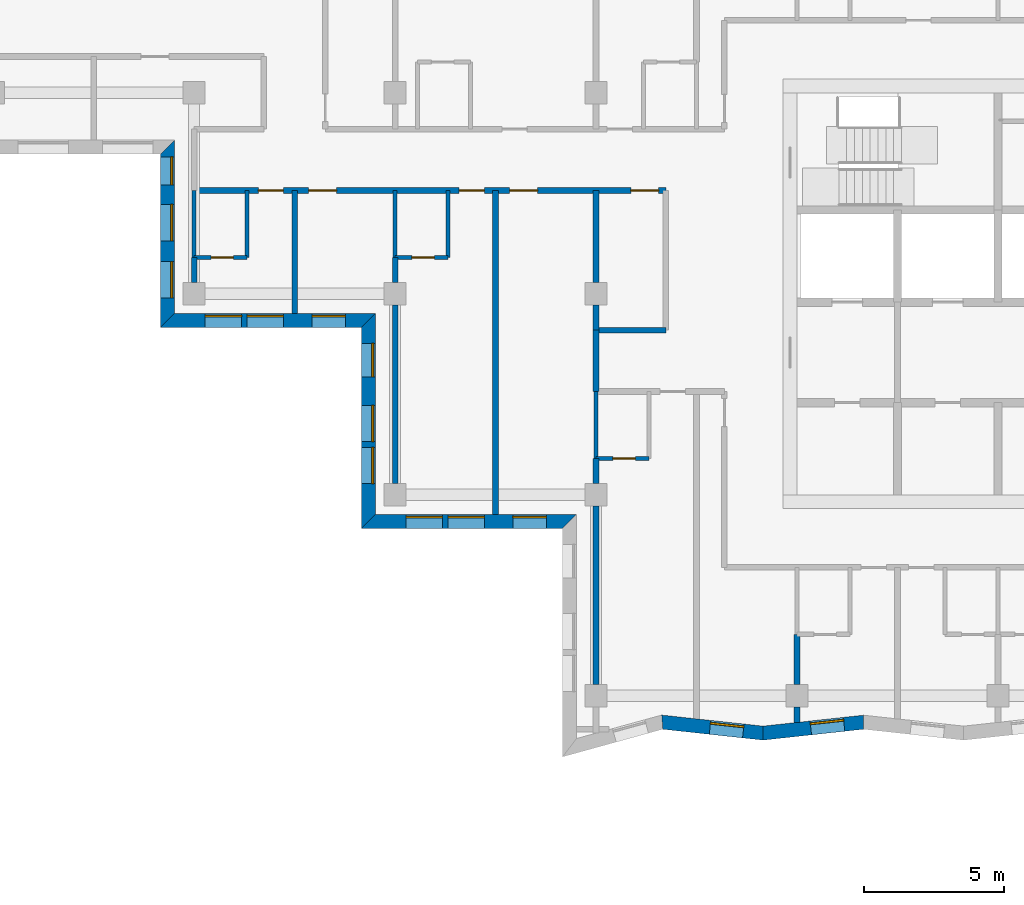
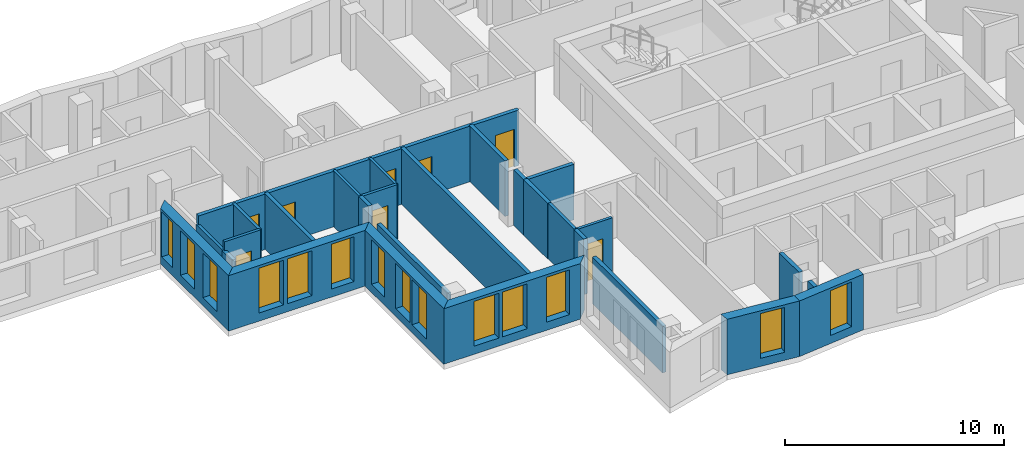
# One storey, part 2 of 12: 28 walls, 14 windows, 8 doors, 22 openings.
"""IFC4 building model written with IfcOpenShell, lengths in metres."""

from ifc_helpers import new_model, si_unit, direction, frame, frame_2d, origin, place, context, subcontext, project, spatial, polyline, rectangle, outline, extrude, material, layer, layer_set, type_object, element, fill, save


model = new_model("IFC4")

# Units and contexts
model_context = context("Model", 3, precision=1e-05, world=origin(), true_north=direction((0.0, 1.0)))
body_context = subcontext(model_context, "Body", "Model", "MODEL_VIEW")
ifc_project = project(units=[si_unit("LENGTHUNIT", "METRE"), si_unit("AREAUNIT", "SQUARE_METRE"), si_unit("VOLUMEUNIT", "CUBIC_METRE"), si_unit("PLANEANGLEUNIT", "RADIAN"), si_unit("MASSUNIT", "GRAM", prefix="KILO")], contexts=[model_context])

# Site, building, storey
site_placement = place(None, origin())
site = spatial("IfcSite", under=ifc_project, at=site_placement, CompositionType="ELEMENT")
building_placement = place(site_placement, origin())
building = spatial("IfcBuilding", under=site, at=building_placement, Name="Windrow Commons", CompositionType="ELEMENT")
storey_placement = place(building_placement, frame((0.0, 0.0, 199.8)))
storey = spatial("IfcBuildingStorey", under=building, at=storey_placement, Name="L54", CompositionType="ELEMENT", Elevation=199.8)

# Wall, openings, windows
ifc_material_1 = material(Name="Brick masonry, red clay brick", Category="masonry")
ifc_layer_1 = layer(ifc_material_1, 0.5)
ifc_layer_set_1 = layer_set([ifc_layer_1], Name="Brick facade wall 500")
wall_type_1 = type_object("IfcWallType", Name="Brick facade wall 500", PredefinedType="SOLIDWALL", material=ifc_layer_set_1)
wall_1_placement = place(storey_placement, frame((35.05, 62.859, 0.0), z_axis=(0.0, 0.0, 1.0), x_axis=(0.0, -1.0, 0.0)))
wall_1 = element("IfcWall", 1, at=wall_1_placement, inside=storey, type_object=wall_type_1, Name="Brick facade wall L54 35", PredefinedType="SOLIDWALL", context=body_context, shape_type="SweptSolid", body=[
    extrude(outline(polyline([(0.25, -0.25), (6.459, -0.25), (5.959, 0.25), (-0.25, 0.25), (0.25, -0.25)])), origin(), (0.0, 0.0, 1.0), 3.1),
])
opening_1_placement = place(wall_1_placement, frame((2.059, 0.0, 0.45)))
opening_1 = element("IfcOpeningElement", 2, at=opening_1_placement, cuts=wall_1, Name="Opening W1Q", PredefinedType="OPENING", context=body_context, shape_type="SweptSolid", body=[
    extrude(rectangle(XDim=1.3, YDim=2.5, at=frame_2d((0.65, 1.25))), frame((0.0, 0.26, 0.0), z_axis=(0.0, -1.0, 0.0), x_axis=(1.0, 0.0, 0.0)), (0.0, 0.0, 1.0), 0.52),
])
opening_2_placement = place(wall_1_placement, frame((4.109, 0.0, 0.45)))
opening_2 = element("IfcOpeningElement", 3, at=opening_2_placement, cuts=wall_1, Name="Opening W1Q", PredefinedType="OPENING", context=body_context, shape_type="SweptSolid", body=[
    extrude(rectangle(XDim=1.3, YDim=2.5, at=frame_2d((0.65, 1.25))), frame((0.0, 0.26, 0.0), z_axis=(0.0, -1.0, 0.0), x_axis=(1.0, 0.0, 0.0)), (0.0, 0.0, 1.0), 0.52),
])
opening_3_placement = place(wall_1_placement, frame((0.3545, 0.0, 0.45)))
opening_3 = element("IfcOpeningElement", 4, at=opening_3_placement, cuts=wall_1, Name="Opening W1S", PredefinedType="OPENING", context=body_context, shape_type="SweptSolid", body=[
    extrude(rectangle(XDim=1.0, YDim=2.5, at=frame_2d((0.5, 1.25))), frame((0.0, 0.26, 0.0), z_axis=(0.0, -1.0, 0.0), x_axis=(1.0, 0.0, 0.0)), (0.0, 0.0, 1.0), 0.52),
])
ifc_material_2 = material(Name="Clear float glass in anodised aluminium frame", Category="aluminium")
window_type_1 = type_object("IfcWindowType", Name="Window W1Q pair 1300x2500", PartitioningType="SINGLE_PANEL", PredefinedType="WINDOW", material=ifc_material_2)
window_1_placement = place(opening_1_placement, origin())
window_1 = element("IfcWindow", 5, at=window_1_placement, inside=storey, type_object=window_type_1, Name="Window L54 35.1A", OverallHeight=2.5, OverallWidth=1.3, PartitioningType="SINGLE_PANEL", PredefinedType="WINDOW", context=body_context, shape_type="SweptSolid", body=[
    extrude(rectangle(XDim=1.3, YDim=2.5, at=frame_2d((0.65, 1.25))), frame((0.0, 0.18, 0.0), z_axis=(0.0, -1.0, 0.0), x_axis=(1.0, 0.0, 0.0)), (0.0, 0.0, 1.0), 0.06),
])
fill(opening_1, window_1)
window_2_placement = place(opening_2_placement, origin())
window_2 = element("IfcWindow", 6, at=window_2_placement, inside=storey, type_object=window_type_1, Name="Window L54 35.1B", OverallHeight=2.5, OverallWidth=1.3, PartitioningType="SINGLE_PANEL", PredefinedType="WINDOW", context=body_context, shape_type="SweptSolid", body=[
    extrude(rectangle(XDim=1.3, YDim=2.5, at=frame_2d((0.65, 1.25))), frame((0.0, 0.18, 0.0), z_axis=(0.0, -1.0, 0.0), x_axis=(1.0, 0.0, 0.0)), (0.0, 0.0, 1.0), 0.06),
])
fill(opening_2, window_2)
ifc_material_3 = material(Name="Clear float glass in anodised aluminium frame", Category="aluminium")
window_type_2 = type_object("IfcWindowType", Name="Window W1S slit 1000x2500", PartitioningType="SINGLE_PANEL", PredefinedType="WINDOW", material=ifc_material_3)
window_3_placement = place(opening_3_placement, origin())
window_3 = element("IfcWindow", 7, at=window_3_placement, inside=storey, type_object=window_type_2, Name="Window L54 35.2A", OverallHeight=2.5, OverallWidth=1.0, PartitioningType="SINGLE_PANEL", PredefinedType="WINDOW", context=body_context, shape_type="SweptSolid", body=[
    extrude(rectangle(XDim=1.0, YDim=2.5, at=frame_2d((0.5, 1.25))), frame((0.0, 0.18, 0.0), z_axis=(0.0, -1.0, 0.0), x_axis=(1.0, 0.0, 0.0)), (0.0, 0.0, 1.0), 0.06),
])
fill(opening_3, window_3)

wall_2_placement = place(storey_placement, frame((35.05, 56.65, 0.0), z_axis=(0.0, 0.0, 1.0), x_axis=(1.0, 0.0, 0.0)))
wall_2 = element("IfcWall", 8, at=wall_2_placement, inside=storey, type_object=wall_type_1, Name="Brick facade wall L54 36", PredefinedType="SOLIDWALL", context=body_context, shape_type="SweptSolid", body=[
    extrude(outline(polyline([(-0.25, -0.25), (6.95, -0.25), (7.45, 0.25), (0.25, 0.25), (-0.25, -0.25)])), origin(), (0.0, 0.0, 1.0), 3.1),
])
opening_4_placement = place(wall_2_placement, frame((1.35, 0.0, 0.45)))
opening_4 = element("IfcOpeningElement", 9, at=opening_4_placement, cuts=wall_2, Name="Opening W1Q", PredefinedType="OPENING", context=body_context, shape_type="SweptSolid", body=[
    extrude(rectangle(XDim=1.3, YDim=2.5, at=frame_2d((0.65, 1.25))), frame((0.0, 0.26, 0.0), z_axis=(0.0, -1.0, 0.0), x_axis=(1.0, 0.0, 0.0)), (0.0, 0.0, 1.0), 0.52),
])
opening_5_placement = place(wall_2_placement, frame((2.85, 0.0, 0.45)))
opening_5 = element("IfcOpeningElement", 10, at=opening_5_placement, cuts=wall_2, Name="Opening W1Q", PredefinedType="OPENING", context=body_context, shape_type="SweptSolid", body=[
    extrude(rectangle(XDim=1.3, YDim=2.5, at=frame_2d((0.65, 1.25))), frame((0.0, 0.26, 0.0), z_axis=(0.0, -1.0, 0.0), x_axis=(1.0, 0.0, 0.0)), (0.0, 0.0, 1.0), 0.52),
])
opening_6_placement = place(wall_2_placement, frame((5.175, 0.0, 0.45)))
opening_6 = element("IfcOpeningElement", 11, at=opening_6_placement, cuts=wall_2, Name="Opening W7E", PredefinedType="OPENING", context=body_context, shape_type="SweptSolid", body=[
    extrude(rectangle(XDim=1.2, YDim=2.5, at=frame_2d((0.6, 1.25))), frame((0.0, 0.26, 0.0), z_axis=(0.0, -1.0, 0.0), x_axis=(1.0, 0.0, 0.0)), (0.0, 0.0, 1.0), 0.52),
])
window_4_placement = place(opening_4_placement, origin())
window_4 = element("IfcWindow", 12, at=window_4_placement, inside=storey, type_object=window_type_1, Name="Window L54 36.1A", OverallHeight=2.5, OverallWidth=1.3, PartitioningType="SINGLE_PANEL", PredefinedType="WINDOW", context=body_context, shape_type="SweptSolid", body=[
    extrude(rectangle(XDim=1.3, YDim=2.5, at=frame_2d((0.65, 1.25))), frame((0.0, 0.18, 0.0), z_axis=(0.0, -1.0, 0.0), x_axis=(1.0, 0.0, 0.0)), (0.0, 0.0, 1.0), 0.06),
])
fill(opening_4, window_4)
window_5_placement = place(opening_5_placement, origin())
window_5 = element("IfcWindow", 13, at=window_5_placement, inside=storey, type_object=window_type_1, Name="Window L54 36.1B", OverallHeight=2.5, OverallWidth=1.3, PartitioningType="SINGLE_PANEL", PredefinedType="WINDOW", context=body_context, shape_type="SweptSolid", body=[
    extrude(rectangle(XDim=1.3, YDim=2.5, at=frame_2d((0.65, 1.25))), frame((0.0, 0.18, 0.0), z_axis=(0.0, -1.0, 0.0), x_axis=(1.0, 0.0, 0.0)), (0.0, 0.0, 1.0), 0.06),
])
fill(opening_5, window_5)
ifc_material_4 = material(Name="Clear float glass in anodised aluminium frame", Category="aluminium")
window_type_3 = type_object("IfcWindowType", Name="Window W7 notch 1200x2500", PartitioningType="SINGLE_PANEL", PredefinedType="WINDOW", material=ifc_material_4)
window_6_placement = place(opening_6_placement, origin())
window_6 = element("IfcWindow", 14, at=window_6_placement, inside=storey, type_object=window_type_3, Name="Window L54 36.2", OverallHeight=2.5, OverallWidth=1.2, PartitioningType="SINGLE_PANEL", PredefinedType="WINDOW", context=body_context, shape_type="SweptSolid", body=[
    extrude(rectangle(XDim=1.2, YDim=2.5, at=frame_2d((0.6, 1.25))), frame((0.0, 0.18, 0.0), z_axis=(0.0, -1.0, 0.0), x_axis=(1.0, 0.0, 0.0)), (0.0, 0.0, 1.0), 0.06),
])
fill(opening_6, window_6)

wall_3_placement = place(storey_placement, frame((42.25, 56.65, 0.0), z_axis=(0.0, 0.0, 1.0), x_axis=(0.0, -1.0, 0.0)))
wall_3 = element("IfcWall", 15, at=wall_3_placement, inside=storey, type_object=wall_type_1, Name="Brick facade wall L54 37", PredefinedType="SOLIDWALL", context=body_context, shape_type="SweptSolid", body=[
    extrude(outline(polyline([(0.25, -0.25), (7.45, -0.25), (6.95, 0.25), (-0.25, 0.25), (0.25, -0.25)])), origin(), (0.0, 0.0, 1.0), 3.1),
])
opening_7_placement = place(wall_3_placement, frame((3.05, 0.0, 0.45)))
opening_7 = element("IfcOpeningElement", 16, at=opening_7_placement, cuts=wall_3, Name="Opening W1Q", PredefinedType="OPENING", context=body_context, shape_type="SweptSolid", body=[
    extrude(rectangle(XDim=1.3, YDim=2.5, at=frame_2d((0.65, 1.25))), frame((0.0, 0.26, 0.0), z_axis=(0.0, -1.0, 0.0), x_axis=(1.0, 0.0, 0.0)), (0.0, 0.0, 1.0), 0.52),
])
opening_8_placement = place(wall_3_placement, frame((4.55, 0.0, 0.45)))
opening_8 = element("IfcOpeningElement", 17, at=opening_8_placement, cuts=wall_3, Name="Opening W1Q", PredefinedType="OPENING", context=body_context, shape_type="SweptSolid", body=[
    extrude(rectangle(XDim=1.3, YDim=2.5, at=frame_2d((0.65, 1.25))), frame((0.0, 0.26, 0.0), z_axis=(0.0, -1.0, 0.0), x_axis=(1.0, 0.0, 0.0)), (0.0, 0.0, 1.0), 0.52),
])
opening_9_placement = place(wall_3_placement, frame((0.825, 0.0, 0.45)))
opening_9 = element("IfcOpeningElement", 18, at=opening_9_placement, cuts=wall_3, Name="Opening W7E", PredefinedType="OPENING", context=body_context, shape_type="SweptSolid", body=[
    extrude(rectangle(XDim=1.2, YDim=2.5, at=frame_2d((0.6, 1.25))), frame((0.0, 0.26, 0.0), z_axis=(0.0, -1.0, 0.0), x_axis=(1.0, 0.0, 0.0)), (0.0, 0.0, 1.0), 0.52),
])
window_7_placement = place(opening_7_placement, origin())
window_7 = element("IfcWindow", 19, at=window_7_placement, inside=storey, type_object=window_type_1, Name="Window L54 37.1A", OverallHeight=2.5, OverallWidth=1.3, PartitioningType="SINGLE_PANEL", PredefinedType="WINDOW", context=body_context, shape_type="SweptSolid", body=[
    extrude(rectangle(XDim=1.3, YDim=2.5, at=frame_2d((0.65, 1.25))), frame((0.0, 0.18, 0.0), z_axis=(0.0, -1.0, 0.0), x_axis=(1.0, 0.0, 0.0)), (0.0, 0.0, 1.0), 0.06),
])
fill(opening_7, window_7)
window_8_placement = place(opening_8_placement, origin())
window_8 = element("IfcWindow", 20, at=window_8_placement, inside=storey, type_object=window_type_1, Name="Window L54 37.1B", OverallHeight=2.5, OverallWidth=1.3, PartitioningType="SINGLE_PANEL", PredefinedType="WINDOW", context=body_context, shape_type="SweptSolid", body=[
    extrude(rectangle(XDim=1.3, YDim=2.5, at=frame_2d((0.65, 1.25))), frame((0.0, 0.18, 0.0), z_axis=(0.0, -1.0, 0.0), x_axis=(1.0, 0.0, 0.0)), (0.0, 0.0, 1.0), 0.06),
])
fill(opening_8, window_8)
window_9_placement = place(opening_9_placement, origin())
window_9 = element("IfcWindow", 21, at=window_9_placement, inside=storey, type_object=window_type_3, Name="Window L54 37.2", OverallHeight=2.5, OverallWidth=1.2, PartitioningType="SINGLE_PANEL", PredefinedType="WINDOW", context=body_context, shape_type="SweptSolid", body=[
    extrude(rectangle(XDim=1.2, YDim=2.5, at=frame_2d((0.6, 1.25))), frame((0.0, 0.18, 0.0), z_axis=(0.0, -1.0, 0.0), x_axis=(1.0, 0.0, 0.0)), (0.0, 0.0, 1.0), 0.06),
])
fill(opening_9, window_9)

wall_4_placement = place(storey_placement, frame((42.25, 49.45, 0.0), z_axis=(0.0, 0.0, 1.0), x_axis=(1.0, 0.0, 0.0)))
wall_4 = element("IfcWall", 22, at=wall_4_placement, inside=storey, type_object=wall_type_1, Name="Brick facade wall L54 38", PredefinedType="SOLIDWALL", context=body_context, shape_type="SweptSolid", body=[
    extrude(outline(polyline([(-0.25, -0.25), (6.95, -0.25), (7.45, 0.25), (0.25, 0.25), (-0.25, -0.25)])), origin(), (0.0, 0.0, 1.0), 3.1),
])
opening_10_placement = place(wall_4_placement, frame((1.35, 0.0, 0.45)))
opening_10 = element("IfcOpeningElement", 23, at=opening_10_placement, cuts=wall_4, Name="Opening W1Q", PredefinedType="OPENING", context=body_context, shape_type="SweptSolid", body=[
    extrude(rectangle(XDim=1.3, YDim=2.5, at=frame_2d((0.65, 1.25))), frame((0.0, 0.26, 0.0), z_axis=(0.0, -1.0, 0.0), x_axis=(1.0, 0.0, 0.0)), (0.0, 0.0, 1.0), 0.52),
])
opening_11_placement = place(wall_4_placement, frame((2.85, 0.0, 0.45)))
opening_11 = element("IfcOpeningElement", 24, at=opening_11_placement, cuts=wall_4, Name="Opening W1Q", PredefinedType="OPENING", context=body_context, shape_type="SweptSolid", body=[
    extrude(rectangle(XDim=1.3, YDim=2.5, at=frame_2d((0.65, 1.25))), frame((0.0, 0.26, 0.0), z_axis=(0.0, -1.0, 0.0), x_axis=(1.0, 0.0, 0.0)), (0.0, 0.0, 1.0), 0.52),
])
opening_12_placement = place(wall_4_placement, frame((5.175, 0.0, 0.45)))
opening_12 = element("IfcOpeningElement", 25, at=opening_12_placement, cuts=wall_4, Name="Opening W7E", PredefinedType="OPENING", context=body_context, shape_type="SweptSolid", body=[
    extrude(rectangle(XDim=1.2, YDim=2.5, at=frame_2d((0.6, 1.25))), frame((0.0, 0.26, 0.0), z_axis=(0.0, -1.0, 0.0), x_axis=(1.0, 0.0, 0.0)), (0.0, 0.0, 1.0), 0.52),
])
window_10_placement = place(opening_10_placement, origin())
window_10 = element("IfcWindow", 26, at=window_10_placement, inside=storey, type_object=window_type_1, Name="Window L54 38.1A", OverallHeight=2.5, OverallWidth=1.3, PartitioningType="SINGLE_PANEL", PredefinedType="WINDOW", context=body_context, shape_type="SweptSolid", body=[
    extrude(rectangle(XDim=1.3, YDim=2.5, at=frame_2d((0.65, 1.25))), frame((0.0, 0.18, 0.0), z_axis=(0.0, -1.0, 0.0), x_axis=(1.0, 0.0, 0.0)), (0.0, 0.0, 1.0), 0.06),
])
fill(opening_10, window_10)
window_11_placement = place(opening_11_placement, origin())
window_11 = element("IfcWindow", 27, at=window_11_placement, inside=storey, type_object=window_type_1, Name="Window L54 38.1B", OverallHeight=2.5, OverallWidth=1.3, PartitioningType="SINGLE_PANEL", PredefinedType="WINDOW", context=body_context, shape_type="SweptSolid", body=[
    extrude(rectangle(XDim=1.3, YDim=2.5, at=frame_2d((0.65, 1.25))), frame((0.0, 0.18, 0.0), z_axis=(0.0, -1.0, 0.0), x_axis=(1.0, 0.0, 0.0)), (0.0, 0.0, 1.0), 0.06),
])
fill(opening_11, window_11)
window_12_placement = place(opening_12_placement, origin())
window_12 = element("IfcWindow", 28, at=window_12_placement, inside=storey, type_object=window_type_3, Name="Window L54 38.2", OverallHeight=2.5, OverallWidth=1.2, PartitioningType="SINGLE_PANEL", PredefinedType="WINDOW", context=body_context, shape_type="SweptSolid", body=[
    extrude(rectangle(XDim=1.2, YDim=2.5, at=frame_2d((0.6, 1.25))), frame((0.0, 0.18, 0.0), z_axis=(0.0, -1.0, 0.0), x_axis=(1.0, 0.0, 0.0)), (0.0, 0.0, 1.0), 0.06),
])
fill(opening_12, window_12)

# Wall, opening, window
wall_5_placement = place(storey_placement, frame((52.7729, 42.2537, 0.0), z_axis=(0.0, 0.0, 1.0), x_axis=(0.9941327648, -0.1081667505, 0.0)))
wall_5 = element("IfcWall", 29, at=wall_5_placement, inside=storey, type_object=wall_type_1, Name="Brick facade wall L54 41", PredefinedType="SOLIDWALL", context=body_context, shape_type="SweptSolid", body=[
    extrude(outline(polyline([(0.0478, -0.25), (3.6623, -0.25), (3.6079, 0.25), (-0.0478, 0.25), (0.0478, -0.25)])), origin(), (0.0, 0.0, 1.0), 3.1),
])
opening_13_placement = place(wall_5_placement, frame((1.7211, 0.0, 0.45)))
opening_13 = element("IfcOpeningElement", 30, at=opening_13_placement, cuts=wall_5, Name="Opening W7E", PredefinedType="OPENING", context=body_context, shape_type="SweptSolid", body=[
    extrude(rectangle(XDim=1.2, YDim=2.5, at=frame_2d((0.6, 1.25))), frame((0.0, 0.26, 0.0), z_axis=(0.0, -1.0, 0.0), x_axis=(1.0, 0.0, 0.0)), (0.0, 0.0, 1.0), 0.52),
])
window_13_placement = place(opening_13_placement, origin())
window_13 = element("IfcWindow", 31, at=window_13_placement, inside=storey, type_object=window_type_3, Name="Window L54 41.1", OverallHeight=2.5, OverallWidth=1.2, PartitioningType="SINGLE_PANEL", PredefinedType="WINDOW", context=body_context, shape_type="SweptSolid", body=[
    extrude(rectangle(XDim=1.2, YDim=2.5, at=frame_2d((0.6, 1.25))), frame((0.0, 0.18, 0.0), z_axis=(0.0, -1.0, 0.0), x_axis=(1.0, 0.0, 0.0)), (0.0, 0.0, 1.0), 0.06),
])
fill(opening_13, window_13)

wall_6_placement = place(storey_placement, frame((56.3867, 41.8605, 0.0), z_axis=(0.0, 0.0, 1.0), x_axis=(0.994132181, 0.1081721163, 0.0)))
wall_6 = element("IfcWall", 32, at=wall_6_placement, inside=storey, type_object=wall_type_1, Name="Brick facade wall L54 42", PredefinedType="SOLIDWALL", context=body_context, shape_type="SweptSolid", body=[
    extrude(outline(polyline([(-0.0272, -0.25), (3.5874, -0.25), (3.6418, 0.25), (0.0272, 0.25), (-0.0272, -0.25)])), origin(), (0.0, 0.0, 1.0), 3.1),
])
opening_14_placement = place(wall_6_placement, frame((1.7175, 0.0, 0.45)))
opening_14 = element("IfcOpeningElement", 33, at=opening_14_placement, cuts=wall_6, Name="Opening W7E", PredefinedType="OPENING", context=body_context, shape_type="SweptSolid", body=[
    extrude(rectangle(XDim=1.2, YDim=2.5, at=frame_2d((0.6, 1.25))), frame((0.0, 0.26, 0.0), z_axis=(0.0, -1.0, 0.0), x_axis=(1.0, 0.0, 0.0)), (0.0, 0.0, 1.0), 0.52),
])
window_14_placement = place(opening_14_placement, origin())
window_14 = element("IfcWindow", 34, at=window_14_placement, inside=storey, type_object=window_type_3, Name="Window L54 42.1", OverallHeight=2.5, OverallWidth=1.2, PartitioningType="SINGLE_PANEL", PredefinedType="WINDOW", context=body_context, shape_type="SweptSolid", body=[
    extrude(rectangle(XDim=1.2, YDim=2.5, at=frame_2d((0.6, 1.25))), frame((0.0, 0.18, 0.0), z_axis=(0.0, -1.0, 0.0), x_axis=(1.0, 0.0, 0.0)), (0.0, 0.0, 1.0), 0.06),
])
fill(opening_14, window_14)

# Wall, openings, doors
ifc_material_5 = material(Name="Blockwork partition", Category="masonry")
ifc_layer_2 = layer(ifc_material_5, 0.2)
ifc_layer_set_2 = layer_set([ifc_layer_2], Name="IW-CORRIDOR-200")
wall_type_2 = type_object("IfcWallType", Name="IW-CORRIDOR-200", PredefinedType="PARTITIONING", material=ifc_layer_set_2)
wall_7_placement = place(storey_placement, frame((36.0, 61.3, 0.0), z_axis=(0.0, 0.0, 1.0), x_axis=(1.0, 0.0, 0.0)))
wall_7 = element("IfcWall", 35, at=wall_7_placement, inside=storey, type_object=wall_type_2, Name="W-L54-W004", PredefinedType="PARTITIONING", context=body_context, shape_type="SweptSolid", body=[
    extrude(rectangle(XDim=16.9, YDim=0.2, at=frame_2d((8.45, 0.0))), origin(), (0.0, 0.0, 1.0), 3.1),
])
opening_15_placement = place(wall_7_placement, frame((2.3, 0.0, 0.0)))
opening_15 = element("IfcOpeningElement", 36, at=opening_15_placement, cuts=wall_7, Name="Opening D109S", PredefinedType="OPENING", context=body_context, shape_type="SweptSolid", body=[
    extrude(rectangle(XDim=0.9, YDim=2.1, at=frame_2d((0.45, 1.05))), frame((0.0, 0.11, 0.0), z_axis=(0.0, -1.0, 0.0), x_axis=(1.0, 0.0, 0.0)), (0.0, 0.0, 1.0), 0.22),
])
opening_16_placement = place(wall_7_placement, frame((4.1075, 0.0, 0.0)))
opening_16 = element("IfcOpeningElement", 37, at=opening_16_placement, cuts=wall_7, Name="Opening D310F", PredefinedType="OPENING", context=body_context, shape_type="SweptSolid", body=[
    extrude(rectangle(XDim=1.0, YDim=2.1, at=frame_2d((0.5, 1.05))), frame((0.0, 0.11, 0.0), z_axis=(0.0, -1.0, 0.0), x_axis=(1.0, 0.0, 0.0)), (0.0, 0.0, 1.0), 0.22),
])
opening_17_placement = place(wall_7_placement, frame((9.5, 0.0, 0.0)))
opening_17 = element("IfcOpeningElement", 38, at=opening_17_placement, cuts=wall_7, Name="Opening D109S", PredefinedType="OPENING", context=body_context, shape_type="SweptSolid", body=[
    extrude(rectangle(XDim=0.9, YDim=2.1, at=frame_2d((0.45, 1.05))), frame((0.0, 0.11, 0.0), z_axis=(0.0, -1.0, 0.0), x_axis=(1.0, 0.0, 0.0)), (0.0, 0.0, 1.0), 0.22),
])
opening_18_placement = place(wall_7_placement, frame((11.3075, 0.0, 0.0)))
opening_18 = element("IfcOpeningElement", 39, at=opening_18_placement, cuts=wall_7, Name="Opening D310F", PredefinedType="OPENING", context=body_context, shape_type="SweptSolid", body=[
    extrude(rectangle(XDim=1.0, YDim=2.1, at=frame_2d((0.5, 1.05))), frame((0.0, 0.11, 0.0), z_axis=(0.0, -1.0, 0.0), x_axis=(1.0, 0.0, 0.0)), (0.0, 0.0, 1.0), 0.22),
])
opening_19_placement = place(wall_7_placement, frame((15.6471, 0.0, 0.0)))
opening_19 = element("IfcOpeningElement", 40, at=opening_19_placement, cuts=wall_7, Name="Opening D310F", PredefinedType="OPENING", context=body_context, shape_type="SweptSolid", body=[
    extrude(rectangle(XDim=1.0, YDim=2.1, at=frame_2d((0.5, 1.05))), frame((0.0, 0.11, 0.0), z_axis=(0.0, -1.0, 0.0), x_axis=(1.0, 0.0, 0.0)), (0.0, 0.0, 1.0), 0.22),
])
ifc_material_6 = material(Name="Timber door leaf", Category="wood")
door_type_1 = type_object("IfcDoorType", Name="DT-AMENITY-1000", OperationType="SINGLE_SWING_LEFT", PredefinedType="DOOR", material=ifc_material_6)
door_1_placement = place(opening_16_placement, origin())
door_1 = element("IfcDoor", 41, at=door_1_placement, inside=storey, type_object=door_type_1, Name="D-L54-D023", OperationType="SINGLE_SWING_RIGHT", OverallHeight=2.1, OverallWidth=1.0, PredefinedType="DOOR", context=body_context, shape_type="SweptSolid", body=[
    extrude(rectangle(XDim=1.0, YDim=2.1, at=frame_2d((0.5, 1.05))), frame((0.0, 0.025, 0.0), z_axis=(0.0, -1.0, 0.0), x_axis=(1.0, 0.0, 0.0)), (0.0, 0.0, 1.0), 0.05),
])
fill(opening_16, door_1)
door_2_placement = place(opening_18_placement, origin())
door_2 = element("IfcDoor", 42, at=door_2_placement, inside=storey, type_object=door_type_1, Name="D-L54-D026", OperationType="SINGLE_SWING_RIGHT", OverallHeight=2.1, OverallWidth=1.0, PredefinedType="DOOR", context=body_context, shape_type="SweptSolid", body=[
    extrude(rectangle(XDim=1.0, YDim=2.1, at=frame_2d((0.5, 1.05))), frame((0.0, 0.025, 0.0), z_axis=(0.0, -1.0, 0.0), x_axis=(1.0, 0.0, 0.0)), (0.0, 0.0, 1.0), 0.05),
])
fill(opening_18, door_2)
door_3_placement = place(opening_19_placement, origin())
door_3 = element("IfcDoor", 43, at=door_3_placement, inside=storey, type_object=door_type_1, Name="D-L54-D027", OperationType="SINGLE_SWING_LEFT", OverallHeight=2.1, OverallWidth=1.0, PredefinedType="DOOR", context=body_context, shape_type="SweptSolid", body=[
    extrude(rectangle(XDim=1.0, YDim=2.1, at=frame_2d((0.5, 1.05))), frame((0.0, 0.025, 0.0), z_axis=(0.0, -1.0, 0.0), x_axis=(1.0, 0.0, 0.0)), (0.0, 0.0, 1.0), 0.05),
])
fill(opening_19, door_3)
ifc_material_7 = material(Name="Timber door leaf", Category="wood")
door_type_2 = type_object("IfcDoorType", Name="DT-BEDROOM-900", OperationType="SINGLE_SWING_LEFT", PredefinedType="DOOR", material=ifc_material_7)
door_4_placement = place(opening_15_placement, origin())
door_4 = element("IfcDoor", 44, at=door_4_placement, inside=storey, type_object=door_type_2, Name="D-L54-D012", OperationType="SINGLE_SWING_LEFT", OverallHeight=2.1, OverallWidth=0.9, PredefinedType="DOOR", context=body_context, shape_type="SweptSolid", body=[
    extrude(rectangle(XDim=0.9, YDim=2.1, at=frame_2d((0.45, 1.05))), frame((0.0, 0.025, 0.0), z_axis=(0.0, -1.0, 0.0), x_axis=(1.0, 0.0, 0.0)), (0.0, 0.0, 1.0), 0.05),
])
fill(opening_15, door_4)
door_5_placement = place(opening_17_placement, origin())
door_5 = element("IfcDoor", 45, at=door_5_placement, inside=storey, type_object=door_type_2, Name="D-L54-D024", OperationType="SINGLE_SWING_LEFT", OverallHeight=2.1, OverallWidth=0.9, PredefinedType="DOOR", context=body_context, shape_type="SweptSolid", body=[
    extrude(rectangle(XDim=0.9, YDim=2.1, at=frame_2d((0.45, 1.05))), frame((0.0, 0.025, 0.0), z_axis=(0.0, -1.0, 0.0), x_axis=(1.0, 0.0, 0.0)), (0.0, 0.0, 1.0), 0.05),
])
fill(opening_17, door_5)

# Walls
wall_8_placement = place(storey_placement, frame((50.4, 56.3, 0.0), z_axis=(0.0, 0.0, 1.0), x_axis=(1.0, 0.0, 0.0)))
element("IfcWall", 46, at=wall_8_placement, inside=storey, type_object=wall_type_2, Name="W-L54-W057", PredefinedType="PARTITIONING", context=body_context, shape_type="SweptSolid", body=[
    extrude(rectangle(XDim=2.5, YDim=0.2, at=frame_2d((1.25, 0.0))), origin(), (0.0, 0.0, 1.0), 3.1),
])
wall_9_placement = place(storey_placement, frame((50.4, 54.1, 0.0), z_axis=(0.0, 0.0, 1.0), x_axis=(0.0, 1.0, 0.0)))
element("IfcWall", 47, at=wall_9_placement, inside=storey, type_object=wall_type_2, Name="W-L54-W095", PredefinedType="PARTITIONING", context=body_context, shape_type="SweptSolid", body=[
    extrude(rectangle(XDim=2.2, YDim=0.2, at=frame_2d((1.1, 0.0))), origin(), (0.0, 0.0, 1.0), 3.1),
])
ifc_material_8 = material(Name="Blockwork partition", Category="masonry")
ifc_layer_3 = layer(ifc_material_8, 0.15)
ifc_layer_set_3 = layer_set([ifc_layer_3], Name="IW-ENSUITE-150")
wall_type_3 = type_object("IfcWallType", Name="IW-ENSUITE-150", PredefinedType="PARTITIONING", material=ifc_layer_set_3)
wall_10_placement = place(storey_placement, frame((37.9, 58.9, 0.0), z_axis=(0.0, 0.0, 1.0), x_axis=(0.0, 1.0, 0.0)))
element("IfcWall", 48, at=wall_10_placement, inside=storey, type_object=wall_type_3, Name="W-L54-W074", PredefinedType="PARTITIONING", context=body_context, shape_type="SweptSolid", body=[
    extrude(rectangle(XDim=2.4, YDim=0.15, at=frame_2d((1.2, 0.0))), origin(), (0.0, 0.0, 1.0), 3.1),
])
wall_11_placement = place(storey_placement, frame((36.0, 58.9, 0.0), z_axis=(0.0, 0.0, 1.0), x_axis=(0.0, 1.0, 0.0)))
element("IfcWall", 49, at=wall_11_placement, inside=storey, type_object=wall_type_3, Name="W-L54-W075", PredefinedType="PARTITIONING", context=body_context, shape_type="SweptSolid", body=[
    extrude(rectangle(XDim=2.4, YDim=0.15, at=frame_2d((1.2, 0.0))), origin(), (0.0, 0.0, 1.0), 2.6),
])
for number, where, z_axis, x_axis, name in (
    (50, (45.1, 58.9, 0.0), (0.0, 0.0, 1.0), (0.0, 1.0, 0.0), "W-L54-W076"),
    (51, (43.2, 58.9, 0.0), (0.0, 0.0, 1.0), (0.0, 1.0, 0.0), "W-L54-W077"),
    (52, (50.4, 51.7, 0.0), (0.0, 0.0, 1.0), (0.0, 1.0, 0.0), "W-L54-W079"),
):
    element("IfcWall", number, at=place(storey_placement, frame(where, z_axis=z_axis, x_axis=x_axis)), inside=storey, type_object=wall_type_3, Name=name, PredefinedType="PARTITIONING", context=body_context, shape_type="SweptSolid", body=[
        extrude(rectangle(XDim=2.4, YDim=0.15, at=frame_2d((1.2, 0.0))), origin(), (0.0, 0.0, 1.0), 3.1),
    ])

# Wall, opening, door
wall_12_placement = place(storey_placement, frame((36.0, 58.9, 0.0), z_axis=(0.0, 0.0, 1.0), x_axis=(1.0, 0.0, 0.0)))
wall_12 = element("IfcWall", 53, at=wall_12_placement, inside=storey, type_object=wall_type_3, Name="W-L54-W108", PredefinedType="PARTITIONING", context=body_context, shape_type="SweptSolid", body=[
    extrude(rectangle(XDim=1.9, YDim=0.15, at=frame_2d((0.95, 0.0))), origin(), (0.0, 0.0, 1.0), 3.1),
])
opening_20_placement = place(wall_12_placement, frame((0.6069, 0.0, 0.0)))
opening_20 = element("IfcOpeningElement", 54, at=opening_20_placement, cuts=wall_12, Name="Opening D208N", PredefinedType="OPENING", context=body_context, shape_type="SweptSolid", body=[
    extrude(rectangle(XDim=0.8, YDim=2.1, at=frame_2d((0.4, 1.05))), frame((0.0, 0.085, 0.0), z_axis=(0.0, -1.0, 0.0), x_axis=(1.0, 0.0, 0.0)), (0.0, 0.0, 1.0), 0.17),
])
ifc_material_9 = material(Name="Timber door leaf", Category="wood")
door_type_3 = type_object("IfcDoorType", Name="DT-ENSUITE-800", OperationType="SINGLE_SWING_LEFT", PredefinedType="DOOR", material=ifc_material_9)
door_6_placement = place(opening_20_placement, origin())
door_6 = element("IfcDoor", 55, at=door_6_placement, inside=storey, type_object=door_type_3, Name="D-L54-D013", OperationType="SINGLE_SWING_RIGHT", OverallHeight=2.1, OverallWidth=0.8, PredefinedType="DOOR", context=body_context, shape_type="SweptSolid", body=[
    extrude(rectangle(XDim=0.8, YDim=2.1, at=frame_2d((0.4, 1.05))), frame((0.0, 0.025, 0.0), z_axis=(0.0, -1.0, 0.0), x_axis=(1.0, 0.0, 0.0)), (0.0, 0.0, 1.0), 0.05),
])
fill(opening_20, door_6)

wall_13_placement = place(storey_placement, frame((43.2, 58.9, 0.0), z_axis=(0.0, 0.0, 1.0), x_axis=(1.0, 0.0, 0.0)))
wall_13 = element("IfcWall", 56, at=wall_13_placement, inside=storey, type_object=wall_type_3, Name="W-L54-W109", PredefinedType="PARTITIONING", context=body_context, shape_type="SweptSolid", body=[
    extrude(rectangle(XDim=1.9, YDim=0.15, at=frame_2d((0.95, 0.0))), origin(), (0.0, 0.0, 1.0), 3.1),
])
opening_21_placement = place(wall_13_placement, frame((0.6069, 0.0, 0.0)))
opening_21 = element("IfcOpeningElement", 57, at=opening_21_placement, cuts=wall_13, Name="Opening D208N", PredefinedType="OPENING", context=body_context, shape_type="SweptSolid", body=[
    extrude(rectangle(XDim=0.8, YDim=2.1, at=frame_2d((0.4, 1.05))), frame((0.0, 0.085, 0.0), z_axis=(0.0, -1.0, 0.0), x_axis=(1.0, 0.0, 0.0)), (0.0, 0.0, 1.0), 0.17),
])
door_7_placement = place(opening_21_placement, origin())
door_7 = element("IfcDoor", 58, at=door_7_placement, inside=storey, type_object=door_type_3, Name="D-L54-D025", OperationType="SINGLE_SWING_RIGHT", OverallHeight=2.1, OverallWidth=0.8, PredefinedType="DOOR", context=body_context, shape_type="SweptSolid", body=[
    extrude(rectangle(XDim=0.8, YDim=2.1, at=frame_2d((0.4, 1.05))), frame((0.0, 0.025, 0.0), z_axis=(0.0, -1.0, 0.0), x_axis=(1.0, 0.0, 0.0)), (0.0, 0.0, 1.0), 0.05),
])
fill(opening_21, door_7)

wall_14_placement = place(storey_placement, frame((50.4, 51.7, 0.0), z_axis=(0.0, 0.0, 1.0), x_axis=(1.0, 0.0, 0.0)))
wall_14 = element("IfcWall", 59, at=wall_14_placement, inside=storey, type_object=wall_type_3, Name="W-L54-W112", PredefinedType="PARTITIONING", context=body_context, shape_type="SweptSolid", body=[
    extrude(rectangle(XDim=1.9, YDim=0.15, at=frame_2d((0.95, 0.0))), origin(), (0.0, 0.0, 1.0), 3.1),
])
opening_22_placement = place(wall_14_placement, frame((0.6069, 0.0, 0.0)))
opening_22 = element("IfcOpeningElement", 60, at=opening_22_placement, cuts=wall_14, Name="Opening D208N", PredefinedType="OPENING", context=body_context, shape_type="SweptSolid", body=[
    extrude(rectangle(XDim=0.8, YDim=2.1, at=frame_2d((0.4, 1.05))), frame((0.0, 0.085, 0.0), z_axis=(0.0, -1.0, 0.0), x_axis=(1.0, 0.0, 0.0)), (0.0, 0.0, 1.0), 0.17),
])
door_8_placement = place(opening_22_placement, origin())
door_8 = element("IfcDoor", 61, at=door_8_placement, inside=storey, type_object=door_type_3, Name="D-L54-D030", OperationType="SINGLE_SWING_RIGHT", OverallHeight=2.1, OverallWidth=0.8, PredefinedType="DOOR", context=body_context, shape_type="SweptSolid", body=[
    extrude(rectangle(XDim=0.8, YDim=2.1, at=frame_2d((0.4, 1.05))), frame((0.0, 0.025, 0.0), z_axis=(0.0, -1.0, 0.0), x_axis=(1.0, 0.0, 0.0)), (0.0, 0.0, 1.0), 0.05),
])
fill(opening_22, door_8)

# Walls
ifc_material_10 = material(Name="Blockwork partition", Category="masonry")
ifc_layer_4 = layer(ifc_material_10, 0.2)
ifc_layer_set_4 = layer_set([ifc_layer_4], Name="IW-PARTY-200")
wall_type_4 = type_object("IfcWallType", Name="IW-PARTY-200", PredefinedType="PARTITIONING", material=ifc_layer_set_4)
wall_15_placement = place(storey_placement, frame((46.8, 49.7, 0.0), z_axis=(0.0, 0.0, 1.0), x_axis=(0.0, 1.0, 0.0)))
element("IfcWall", 62, at=wall_15_placement, inside=storey, type_object=wall_type_4, Name="W-L54-W007", PredefinedType="PARTITIONING", context=body_context, shape_type="SweptSolid", body=[
    extrude(rectangle(XDim=11.6, YDim=0.2, at=frame_2d((5.8, 0.0))), origin(), (0.0, 0.0, 1.0), 3.1),
])
for number, where, z_axis, x_axis, name in (
    (63, (43.2, 50.8, 0.0), (0.0, 0.0, 1.0), (0.0, 1.0, 0.0), "W-L54-W019"),
    (64, (50.4, 43.6, 0.0), (0.0, 0.0, 1.0), (0.0, 1.0, 0.0), "W-L54-W020"),
):
    element("IfcWall", number, at=place(storey_placement, frame(where, z_axis=z_axis, x_axis=x_axis)), inside=storey, type_object=wall_type_4, Name=name, PredefinedType="PARTITIONING", context=body_context, shape_type="SweptSolid", body=[
        extrude(rectangle(XDim=6.4, YDim=0.2, at=frame_2d((3.2, 0.0))), origin(), (0.0, 0.0, 1.0), 2.6),
    ])
wall_16_placement = place(storey_placement, frame((39.6, 56.9, 0.0), z_axis=(0.0, 0.0, 1.0), x_axis=(0.0, 1.0, 0.0)))
element("IfcWall", 65, at=wall_16_placement, inside=storey, type_object=wall_type_4, Name="W-L54-W038", PredefinedType="PARTITIONING", context=body_context, shape_type="SweptSolid", body=[
    extrude(rectangle(XDim=4.4, YDim=0.2, at=frame_2d((2.2, 0.0))), origin(), (0.0, 0.0, 1.0), 3.1),
])
wall_17_placement = place(storey_placement, frame((50.4, 58.0, 0.0), z_axis=(0.0, 0.0, 1.0), x_axis=(0.0, 1.0, 0.0)))
element("IfcWall", 66, at=wall_17_placement, inside=storey, type_object=wall_type_4, Name="W-L54-W048", PredefinedType="PARTITIONING", context=body_context, shape_type="SweptSolid", body=[
    extrude(rectangle(XDim=3.3, YDim=0.2, at=frame_2d((1.65, 0.0))), origin(), (0.0, 0.0, 1.0), 3.1),
])
wall_18_placement = place(storey_placement, frame((57.6, 43.6, 0.0), z_axis=(0.0, 0.0, 1.0), x_axis=(0.0, 1.0, 0.0)))
element("IfcWall", 67, at=wall_18_placement, inside=storey, type_object=wall_type_4, Name="W-L54-W117", PredefinedType="PARTITIONING", context=body_context, shape_type="SweptSolid", body=[
    extrude(rectangle(XDim=1.8, YDim=0.2, at=frame_2d((0.9, 0.0))), origin(), (0.0, 0.0, 1.0), 3.1),
])
for number, where, z_axis, x_axis, name in (
    (68, (50.4, 50.8, 0.0), (0.0, 0.0, 1.0), (0.0, 1.0, 0.0), "W-L54-W133"),
    (69, (50.4, 56.3, 0.0), (0.0, 0.0, 1.0), (0.0, 1.0, 0.0), "W-L54-W134"),
):
    element("IfcWall", number, at=place(storey_placement, frame(where, z_axis=z_axis, x_axis=x_axis)), inside=storey, type_object=wall_type_4, Name=name, PredefinedType="PARTITIONING", context=body_context, shape_type="SweptSolid", body=[
        extrude(rectangle(XDim=0.9, YDim=0.2, at=frame_2d((0.45, 0.0))), origin(), (0.0, 0.0, 1.0), 3.1),
    ])
wall_19_placement = place(storey_placement, frame((36.0, 58.0, 0.0), z_axis=(0.0, 0.0, 1.0), x_axis=(0.0, 1.0, 0.0)))
element("IfcWall", 70, at=wall_19_placement, inside=storey, type_object=wall_type_4, Name="W-L54-W137", PredefinedType="PARTITIONING", context=body_context, shape_type="SweptSolid", body=[
    extrude(rectangle(XDim=0.9, YDim=0.2, at=frame_2d((0.45, 0.0))), origin(), (0.0, 0.0, 1.0), 2.6),
])
wall_20_placement = place(storey_placement, frame((43.2, 58.0, 0.0), z_axis=(0.0, 0.0, 1.0), x_axis=(0.0, 1.0, 0.0)))
element("IfcWall", 71, at=wall_20_placement, inside=storey, type_object=wall_type_4, Name="W-L54-W138", PredefinedType="PARTITIONING", context=body_context, shape_type="SweptSolid", body=[
    extrude(rectangle(XDim=0.9, YDim=0.2, at=frame_2d((0.45, 0.0))), origin(), (0.0, 0.0, 1.0), 3.1),
])
wall_21_placement = place(storey_placement, frame((57.6, 42.244, 0.0), z_axis=(0.0, 0.0, 1.0), x_axis=(0.0, 1.0, 0.0)))
element("IfcWall", 72, at=wall_21_placement, inside=storey, type_object=wall_type_4, Name="W-L54-W156", PredefinedType="PARTITIONING", context=body_context, shape_type="SweptSolid", body=[
    extrude(rectangle(XDim=0.556, YDim=0.2, at=frame_2d((0.278, 0.0))), origin(), (0.0, 0.0, 1.0), 3.1),
])

save(model, "model.ifc")
